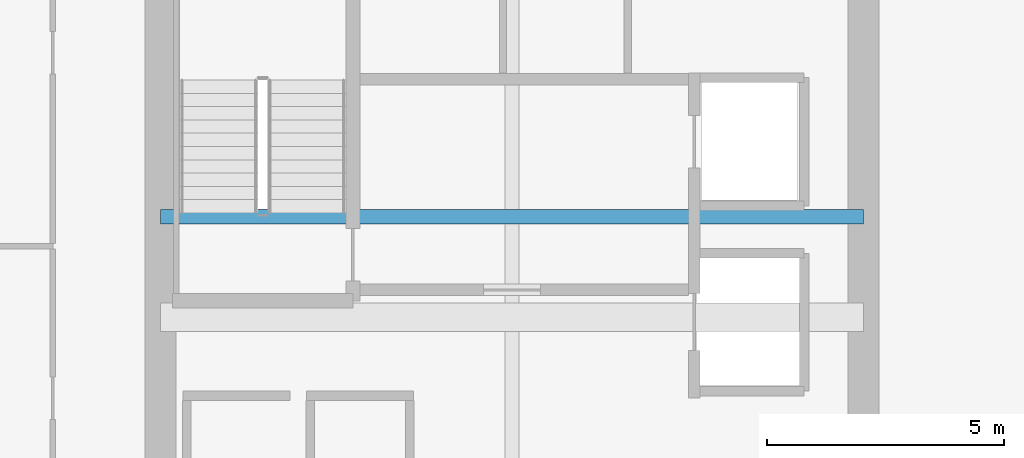
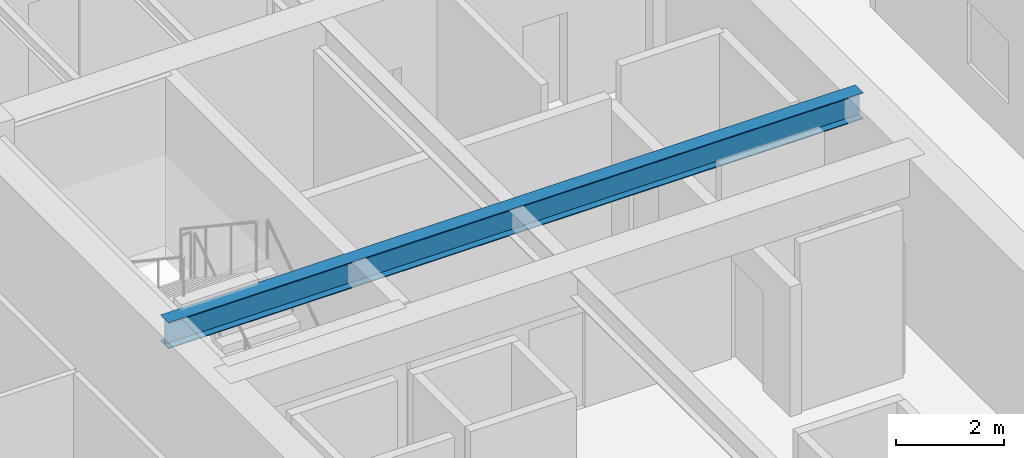
# One storey, part 9 of 31: 1 beam.
"""IFC4 building model written with IfcOpenShell, lengths in metres."""

from ifc_helpers import new_model, si_unit, direction, frame, origin, origin_2d, place, context, subcontext, project, spatial, i_section, extrude, source, transform, mapped, material, material_profile, profile_set, type_object, type_shapes, element, save


model = new_model("IFC4")

# Units and contexts
model_context = context("Model", 3, precision=1e-05, world=origin(), true_north=direction((0.0, 1.0)))
body_context = subcontext(model_context, "Body", "Model", "MODEL_VIEW")
ifc_project = project(units=[si_unit("LENGTHUNIT", "METRE"), si_unit("AREAUNIT", "SQUARE_METRE"), si_unit("VOLUMEUNIT", "CUBIC_METRE"), si_unit("PLANEANGLEUNIT", "RADIAN"), si_unit("MASSUNIT", "GRAM", prefix="KILO")], contexts=[model_context])

# Site, building, storey
site_placement = place(None, origin())
site = spatial("IfcSite", under=ifc_project, at=site_placement, CompositionType="ELEMENT")
building_placement = place(site_placement, origin())
building = spatial("IfcBuilding", under=site, at=building_placement, Name="Haelvirn Gate Laboratories", CompositionType="ELEMENT")
storey_placement = place(building_placement, frame((0.0, 0.0, 174.800048828125)))
storey = spatial("IfcBuildingStorey", under=building, at=storey_placement, Name="L42", CompositionType="ELEMENT", Elevation=174.800048828125)

# Beam
ifc_material = material(Name="Steel SM355", Category="steel")
ifc_material_profile = material_profile(ifc_material, i_section(OverallWidth=0.300048828125, OverallDepth=0.587890625, WebThickness=0.011962890625, FlangeThickness=0.02001953125, at=origin_2d()), Name="H-588x300x12x20")
ifc_profile_set = profile_set([ifc_material_profile], Name="Steel SM355")
beam_type = type_object("IfcBeamType", Name="BM-G-588", PredefinedType="BEAM", material=ifc_profile_set)
shared_shape = source(origin(), body_context, "Body", "SweptSolid", [
    extrude(i_section(OverallWidth=0.300048828125, OverallDepth=0.587890625, WebThickness=0.011962890625, FlangeThickness=0.02001953125, at=origin_2d()), origin(), (0.0, 0.0, 1.0), 14.800048828125),
])
type_shapes(beam_type, [shared_shape])
beam_placement = place(storey_placement, frame((7.39990234375, 26.6201171875, 3.495849609375), z_axis=(1.0, 0.0, 0.0), x_axis=(0.0, 1.0, 0.0)))
element("IfcBeam", 1, at=beam_placement, inside=storey, type_object=beam_type, Name="L42 Stair ST1 Landing Header", PredefinedType="BEAM", context=body_context, shape_type="MappedRepresentation", body=[
    mapped(shared_shape, transform((0.0, 0.0, 0.0), scale=1.0)),
])

save(model, "model.ifc")
